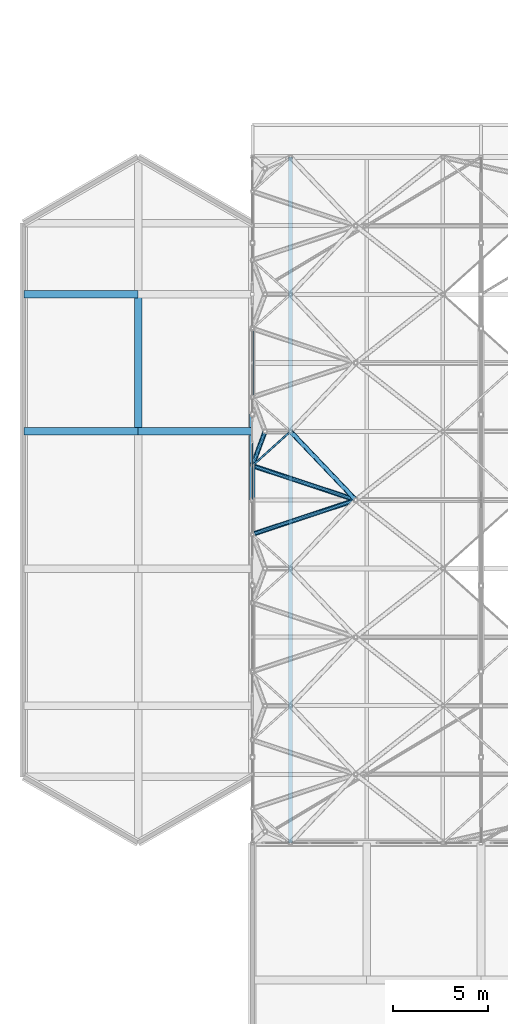
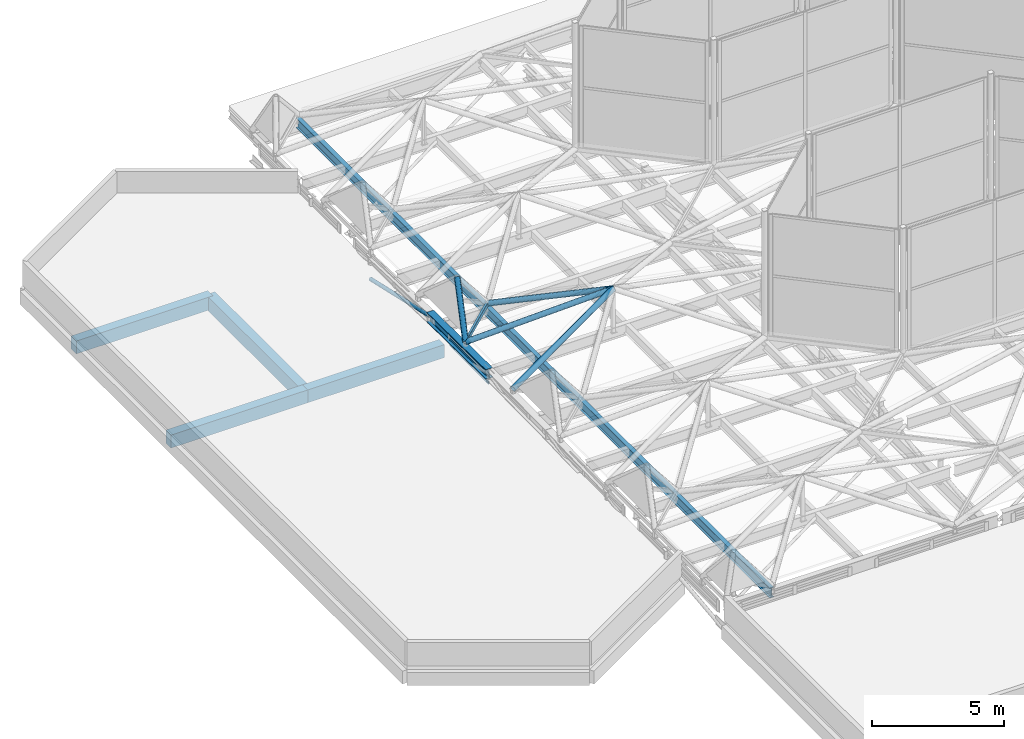
# One storey, part 54 of 239: 8 members, 7 beams, 1 element without a shape of its own.
"""IFC4 building model written with IfcOpenShell, lengths in metres."""

import ifcopenshell
import ifcopenshell.guid

model = None  # the IFC model being written
_history = None  # IfcOwnerHistory: only IFC2X3 demands one
_inside = {}  # id of a spatial element -> (the spatial element, [elements in it])
_under = {}  # id of a project, library or spatial element -> (it, [spatial elements below it])
_declared = {}  # id of a project -> (the project, [libraries it declares])
_typed = {}  # id of a type object -> (the type object, [elements of that type])
_made_of = {}  # id of a material, layer set ... -> (it, [elements and type objects made of it])


def new_model(schema):
    """Start an empty IFC model of exactly this schema.

    Asked for "IFC4X3", IfcOpenShell would pick the latest addendum, in which some entities
    have other attributes; the version numbers below select the first issue.
    IFC2X3 requires an IfcOwnerHistory on every rooted entity: one is made here for all.
    """
    global model, _history
    if schema == "IFC4X3":
        model = ifcopenshell.file(schema_version=(4, 3, 0, 0))
    else:
        model = ifcopenshell.file(schema=schema)
    _inside.clear()
    _under.clear()
    _declared.clear()
    _typed.clear()
    _made_of.clear()
    _history = None
    if model.schema == "IFC2X3":
        org = make("IfcOrganization", Name="unknown")
        user = make(
            "IfcPersonAndOrganization",
            ThePerson=make("IfcPerson", FamilyName="unknown"),
            TheOrganization=org,
        )
        app = make(
            "IfcApplication",
            ApplicationDeveloper=org,
            Version="unknown",
            ApplicationFullName="unknown",
            ApplicationIdentifier="unknown",
        )
        _history = make(
            "IfcOwnerHistory",
            OwningUser=user,
            OwningApplication=app,
            ChangeAction="ADDED",
            CreationDate=0,
        )
    return model


def make(cls, **values):
    """One entity of the class cls with the attributes given. An attribute that is None is left unset."""
    return model.create_entity(
        cls, **{name: value for name, value in values.items() if value is not None}
    )


def rooted(cls, **values):
    """An entity with a GlobalId (a new one), such as an element, a storey or a relation."""
    return make(cls, GlobalId=ifcopenshell.guid.new(), OwnerHistory=_history, **values)


def si_unit(unit_type, name, prefix=None):
    """IfcSIUnit, for example si_unit("LENGTHUNIT", "METRE", prefix="MILLI")."""
    return make("IfcSIUnit", UnitType=unit_type, Prefix=prefix, Name=name)


def assignment(units):
    """IfcUnitAssignment: the units of a project."""
    return None if units is None else make("IfcUnitAssignment", Units=units)


def point(xyz):
    """IfcCartesianPoint."""
    return None if xyz is None else make("IfcCartesianPoint", Coordinates=xyz)


def direction(xyz):
    """IfcDirection."""
    return None if xyz is None else make("IfcDirection", DirectionRatios=xyz)


def frame(location, z_axis=None, x_axis=None):
    """IfcAxis2Placement3D, a coordinate frame: its origin and axes. An axis left out is left unset."""
    return make(
        "IfcAxis2Placement3D",
        Location=point(location),
        Axis=direction(z_axis),
        RefDirection=direction(x_axis),
    )


def frame_2d(location, x_axis=None):
    """IfcAxis2Placement2D, a coordinate frame in the plane: its origin and x axis."""
    return make(
        "IfcAxis2Placement2D", Location=point(location), RefDirection=direction(x_axis)
    )


def origin():
    """The frame at (0, 0, 0) with its axes left unset."""
    return frame((0.0, 0.0, 0.0))


def origin_2d():
    """The frame at (0, 0) in the plane with its x axis left unset."""
    return frame_2d((0.0, 0.0))


def place(relative_to, where):
    """IfcLocalPlacement: puts the frame where relative to a parent placement (None: the world)."""
    return make(
        "IfcLocalPlacement", PlacementRelTo=relative_to, RelativePlacement=where
    )


def context(
    kind, dimensions, precision=None, world=None, true_north=None, identifier=None
):
    """IfcGeometricRepresentationContext, for example the 3D "Model" context."""
    return make(
        "IfcGeometricRepresentationContext",
        ContextIdentifier=identifier,
        ContextType=kind,
        CoordinateSpaceDimension=dimensions,
        Precision=precision,
        WorldCoordinateSystem=world,
        TrueNorth=true_north,
    )


def subcontext(parent, identifier, kind, view, scale=None):
    """IfcGeometricRepresentationSubContext, for example "Body" below "Model"."""
    return make(
        "IfcGeometricRepresentationSubContext",
        ContextIdentifier=identifier,
        ContextType=kind,
        ParentContext=parent,
        TargetScale=scale,
        TargetView=view,
    )


def project(units=None, contexts=None):
    """IfcProject with its units and contexts."""
    return rooted(
        "IfcProject",
        Name="project",
        RepresentationContexts=contexts,
        UnitsInContext=assignment(units),
    )


def spatial(cls, under=None, at=None, **own):
    """A site, building, storey or space (cls), placed at a placement, below another one or the project."""
    s = rooted(cls, ObjectPlacement=at, **own)
    if under is not None:
        _under.setdefault(under.id(), (under, []))[1].append(s)
    return s


def profile(cls, at=None, kind="AREA", **sizes):
    """A parametric profile (cls). Its sizes go by their IFC names, for example OverallWidth=200.0."""
    return make(cls, ProfileType=kind, Position=at, **sizes)


def rectangle(**sizes):
    """IfcRectangleProfileDef."""
    return profile("IfcRectangleProfileDef", **sizes)


def hollow_rectangle(**sizes):
    """IfcRectangleHollowProfileDef."""
    return profile("IfcRectangleHollowProfileDef", **sizes)


def hollow_circle(**sizes):
    """IfcCircleHollowProfileDef."""
    return profile("IfcCircleHollowProfileDef", **sizes)


def i_section(**sizes):
    """IfcIShapeProfileDef."""
    return profile("IfcIShapeProfileDef", **sizes)


def extrude(swept, where, along, depth):
    """IfcExtrudedAreaSolid: the profile swept, set in the frame where, extruded along a direction by depth."""
    return make(
        "IfcExtrudedAreaSolid",
        SweptArea=swept,
        Position=where,
        ExtrudedDirection=direction(along),
        Depth=depth,
    )


def shape(context_of_items, identifier, shape_type, items):
    """IfcShapeRepresentation: the items that make up one representation, for example the "Body"."""
    return make(
        "IfcShapeRepresentation",
        ContextOfItems=context_of_items,
        RepresentationIdentifier=identifier,
        RepresentationType=shape_type,
        Items=items,
    )


def material(Name=None, Category=None):
    """IfcMaterial."""
    return make("IfcMaterial", Name=Name, Category=Category)


def layer(
    of_material, thickness, ventilated=None, Name=None, Category=None, Priority=None
):
    """IfcMaterialLayer: one layer of a wall or slab, of a material (None: an air gap)."""
    return make(
        "IfcMaterialLayer",
        Material=of_material,
        LayerThickness=thickness,
        IsVentilated=ventilated,
        Name=Name,
        Category=Category,
        Priority=Priority,
    )


def layer_set(layers, Name=None):
    """IfcMaterialLayerSet."""
    return make("IfcMaterialLayerSet", MaterialLayers=layers, LayerSetName=Name)


def material_profile(
    of_material, cross_section, Name=None, Category=None, Priority=None
):
    """IfcMaterialProfile: a cross section and its material."""
    return make(
        "IfcMaterialProfile",
        Name=Name,
        Material=of_material,
        Profile=cross_section,
        Priority=Priority,
        Category=Category,
    )


def profile_set(profiles, Name=None, composite=None):
    """IfcMaterialProfileSet."""
    return make(
        "IfcMaterialProfileSet",
        Name=Name,
        MaterialProfiles=profiles,
        CompositeProfile=composite,
    )


def made_of(thing, what):
    """Note that an element or type object is made of a material, layer set ...; save() writes the relation."""
    if what is not None:
        _made_of.setdefault(what.id(), (what, []))[1].append(thing)
    return thing


def type_object(cls, material=None, **own):
    """A type object (cls), such as IfcWallType, which elements share."""
    return made_of(rooted(cls, **own), material)


def element(
    cls,
    number,
    at=None,
    inside=None,
    cuts=None,
    type_object=None,
    material=None,
    context=None,
    identifier="Body",
    shape_type=None,
    held_by="IfcProductDefinitionShape",
    body=None,
    shapes=None,
    **own,
):
    """One element of the class cls, such as IfcWall. Its Tag is "e" and its number.

    at: its placement. inside: the storey or other place that contains it. cuts: it is an
    opening in that element (IfcRelVoidsElement). A single representation is given by context,
    identifier, shape_type and body (its items); several are given by shapes. held_by: the class
    of the entity that holds the representations. save() writes the other relations.
    """
    e = rooted(cls, Tag="e%d" % number, ObjectPlacement=at, **own)
    if body is not None:
        shapes = [shape(context, identifier, shape_type, body)]
    if shapes is not None:
        e.Representation = make(held_by, Representations=shapes)
    if inside is not None:
        _inside.setdefault(inside.id(), (inside, []))[1].append(e)
    if cuts is not None:
        rooted(
            "IfcRelVoidsElement", RelatingBuildingElement=cuts, RelatedOpeningElement=e
        )
    if type_object is not None:
        _typed.setdefault(type_object.id(), (type_object, []))[1].append(e)
    return made_of(e, material)


def aggregate(whole, parts):
    """IfcRelAggregates: a whole, such as a stair, and the parts it consists of."""
    return rooted("IfcRelAggregates", RelatingObject=whole, RelatedObjects=parts)


def save(model, path):
    """Write the relations noted so far, then the file.

    IfcRelAggregates (storeys below a building ...), IfcRelContainedInSpatialStructure (elements
    in a storey), IfcRelDefinesByType, IfcRelAssociatesMaterial and IfcRelDeclares: one each for
    every whole, place, type object, material and project.
    """
    for whole, parts in _under.values():
        aggregate(whole, parts)
    for where, things in _inside.values():
        rooted(
            "IfcRelContainedInSpatialStructure",
            RelatedElements=things,
            RelatingStructure=where,
        )
    for kind, things in _typed.values():
        rooted("IfcRelDefinesByType", RelatedObjects=things, RelatingType=kind)
    for what, things in _made_of.values():
        rooted("IfcRelAssociatesMaterial", RelatedObjects=things, RelatingMaterial=what)
    for by, libraries in _declared.values():
        rooted("IfcRelDeclares", RelatingContext=by, RelatedDefinitions=libraries)
    model.write(path)


model = new_model("IFC4")

# Units and contexts
model_context = context("Model", 3, precision=1e-05, world=origin(), true_north=direction((0.0, 1.0)))
body_context = subcontext(model_context, "Body", "Model", "MODEL_VIEW")
ifc_project = project(units=[si_unit("LENGTHUNIT", "METRE"), si_unit("AREAUNIT", "SQUARE_METRE"), si_unit("VOLUMEUNIT", "CUBIC_METRE"), si_unit("PLANEANGLEUNIT", "RADIAN"), si_unit("MASSUNIT", "GRAM", prefix="KILO")], contexts=[model_context])

# Site, building, storey
site_placement = place(None, origin())
site = spatial("IfcSite", under=ifc_project, at=site_placement, CompositionType="ELEMENT")
building_placement = place(site_placement, origin())
building = spatial("IfcBuilding", under=site, at=building_placement, Name="Dunvalen Ferry Terminal", CompositionType="ELEMENT")
storey_placement = place(building_placement, frame((0.0, 0.0, 9.840087890625)))
storey = spatial("IfcBuildingStorey", under=building, at=storey_placement, Name="L02", CompositionType="ELEMENT", Elevation=9.840087890625)

# Curtain wall, members
ifc_material_1 = material(Name="Anodised marine aluminium and solar-control glazing", Category="aluminium")
ifc_layer = layer(ifc_material_1, 0.219970703125, Name="Anodised marine aluminium and solar-control glazing")
ifc_layer_set = layer_set([ifc_layer], Name="Anodised marine aluminium and solar-control glazing")
curtain_wall_type = type_object("IfcCurtainWallType", Name="ENV-CW-SYS-04", PredefinedType="NOTDEFINED", material=ifc_layer_set)
curtain_wall_placement = place(storey_placement, origin())
curtain_wall = element("IfcCurtainWall", 1, at=curtain_wall_placement, inside=storey, type_object=curtain_wall_type, Name="L02 Curtain Wall CW-V1W-CLR-03", PredefinedType="NOTDEFINED")
ifc_material_2 = material(Name="Anodised marine aluminium EN AW-6063 T6", Category="aluminium")
ifc_material_profile_1 = material_profile(ifc_material_2, hollow_rectangle(XDim=0.06005859375, YDim=0.135009765625, WallThickness=0.003173828125, InnerFilletRadius=0.003173828125, OuterFilletRadius=0.00634765625, at=origin_2d()), Name="Anodised marine aluminium EN AW-6063 T6")
ifc_profile_set_1 = profile_set([ifc_material_profile_1], Name="Anodised marine aluminium EN AW-6063 T6")
member_type_1 = type_object("IfcMemberType", Name="ENV-CW-TRN-2", PredefinedType="USERDEFINED", material=ifc_profile_set_1)
member_1_placement = place(storey_placement, frame((12.0, 68.429931640625, 0.27001953125), z_axis=(0.0, 1.0, 0.0), x_axis=(-1.0, 0.0, 0.0)))
member_1 = element("IfcMember", 2, at=member_1_placement, type_object=member_type_1, Name="CW-04 transom 2.1", ObjectType="TRANSOM", PredefinedType="USERDEFINED", context=body_context, shape_type="SweptSolid", body=[
    extrude(hollow_rectangle(XDim=0.06005859375, YDim=0.135009765625, WallThickness=0.003173828125, InnerFilletRadius=0.003173828125, OuterFilletRadius=0.00634765625, at=origin_2d()), origin(), (0.0, 0.0, 1.0), 2.949951171875),
])
member_2_placement = place(storey_placement, frame((12.0, 68.429931640625, 0.510009765625), z_axis=(0.0, 1.0, 0.0), x_axis=(-1.0, 0.0, 0.0)))
member_2 = element("IfcMember", 3, at=member_2_placement, type_object=member_type_1, Name="CW-04 transom 2.2", ObjectType="TRANSOM", PredefinedType="USERDEFINED", context=body_context, shape_type="SweptSolid", body=[
    extrude(hollow_rectangle(XDim=0.06005859375, YDim=0.135009765625, WallThickness=0.003173828125, InnerFilletRadius=0.003173828125, OuterFilletRadius=0.00634765625, at=origin_2d()), origin(), (0.0, 0.0, 1.0), 2.949951171875),
])
member_3_placement = place(storey_placement, frame((12.0, 68.429931640625, 0.75), z_axis=(0.0, 1.0, 0.0), x_axis=(-1.0, 0.0, 0.0)))
member_3 = element("IfcMember", 4, at=member_3_placement, type_object=member_type_1, Name="CW-04 transom 2.3", ObjectType="TRANSOM", PredefinedType="USERDEFINED", context=body_context, shape_type="SweptSolid", body=[
    extrude(hollow_rectangle(XDim=0.06005859375, YDim=0.135009765625, WallThickness=0.003173828125, InnerFilletRadius=0.003173828125, OuterFilletRadius=0.00634765625, at=origin_2d()), origin(), (0.0, 0.0, 1.0), 2.949951171875),
])
aggregate(curtain_wall, [member_1, member_2, member_3])

# Beams
ifc_material_3 = material(Name="Steel S355", Category="steel")
ifc_material_profile_2 = material_profile(ifc_material_3, i_section(OverallWidth=0.300048828125, OverallDepth=0.449951171875, WebThickness=0.013916015625, FlangeThickness=0.02587890625, FilletRadius=0.027099609375, at=origin_2d()), Name="Steel S355")
ifc_profile_set_2 = profile_set([ifc_material_profile_2], Name="Steel S355")
beam_type_1 = type_object("IfcBeamType", Name="STR-BM-HEB450", PredefinedType="BEAM", material=ifc_profile_set_2)
beam_1_placement = place(storey_placement, frame((12.0, 68.39990234375, 0.719970703125), z_axis=(0.0, 0.999907293085, -0.01361635908), x_axis=(-1.0, 0.0, 0.0)))
element("IfcBeam", 5, at=beam_1_placement, inside=storey, type_object=beam_type_1, Name="Departure Hall Tied-Arch Rib 01.5", PredefinedType="BEAM", context=body_context, shape_type="SweptSolid", body=[
    extrude(i_section(OverallWidth=0.300048828125, OverallDepth=0.449951171875, WebThickness=0.013916015625, FlangeThickness=0.02587890625, FilletRadius=0.027099609375, at=origin_2d()), origin(), (0.0, 0.0, 1.0), 4.50048828125),
])
ifc_material_4 = material(Name="Concrete C35/45", Category="concrete")
ifc_material_profile_3 = material_profile(ifc_material_4, rectangle(XDim=0.39990234375, YDim=0.60009765625, at=origin_2d()), Name="Concrete C35/45")
ifc_profile_set_3 = profile_set([ifc_material_profile_3], Name="Concrete C35/45")
beam_type_2 = type_object("IfcBeamType", Name="STR-BM-RCB600", PredefinedType="BEAM", material=ifc_profile_set_3)
for number, where, z_axis, x_axis, name in (
    (6, (0.0, 72.0, -0.300048828125), (1.0, 0.0, 0.0), (0.0, 1.0, 0.0), "L02 V1AW Primary Beam X-006"),
    (7, (6.0, 72.0, -0.300048828125), (1.0, 0.0, 0.0), (0.0, 1.0, 0.0), "L02 V1AW Primary Beam X-007"),
    (8, (0.0, 79.199951171875, -0.300048828125), (1.0, 0.0, 0.0), (0.0, 1.0, 0.0), "L02 V1AW Primary Beam X-008"),
):
    element("IfcBeam", number, at=place(storey_placement, frame(where, z_axis=z_axis, x_axis=x_axis)), inside=storey, type_object=beam_type_2, Name=name, PredefinedType="BEAM", context=body_context, shape_type="SweptSolid", body=[
        extrude(rectangle(XDim=0.39990234375, YDim=0.60009765625, at=origin_2d()), origin(), (0.0, 0.0, 1.0), 6.0),
    ])
ifc_material_5 = material(Name="Concrete C40/50", Category="concrete")
ifc_material_profile_4 = material_profile(ifc_material_5, rectangle(XDim=0.39990234375, YDim=0.64990234375, at=origin_2d()), Name="Concrete C40/50")
ifc_profile_set_4 = profile_set([ifc_material_profile_4], Name="Concrete C40/50")
beam_type_3 = type_object("IfcBeamType", Name="STR-BM-RCB650", PredefinedType="BEAM", material=ifc_profile_set_4)
beam_2_placement = place(storey_placement, frame((6.0, 72.0, -0.3251953125), z_axis=(0.0, 1.0, 0.0), x_axis=(-1.0, 0.0, 0.0)))
element("IfcBeam", 9, at=beam_2_placement, inside=storey, type_object=beam_type_3, Name="L02 V1AW Primary Girder Y-019", PredefinedType="BEAM", context=body_context, shape_type="SweptSolid", body=[
    extrude(rectangle(XDim=0.39990234375, YDim=0.64990234375, at=origin_2d()), origin(), (0.0, 0.0, 1.0), 7.199951171875),
])
ifc_material_profile_5 = material_profile(ifc_material_3, hollow_rectangle(XDim=0.10009765625, YDim=0.199951171875, WallThickness=0.008056640625, InnerFilletRadius=0.008056640625, OuterFilletRadius=0.01611328125, at=origin_2d()), Name="Steel S355")
ifc_profile_set_5 = profile_set([ifc_material_profile_5], Name="Steel S355")
beam_type_4 = type_object("IfcBeamType", Name="STR-BM-RHS200", PredefinedType="BEAM", material=ifc_profile_set_5)
beam_3_placement = place(storey_placement, frame((12.0, 70.199951171875, 1.099853515625), z_axis=(0.743285123004, 0.668974757313, 0.0), x_axis=(-0.668974757313, 0.743285123004, 0.0)))
element("IfcBeam", 10, at=beam_3_placement, inside=storey, type_object=beam_type_4, Name="HEX-04 Hexagonal Rim Beam 1", PredefinedType="BEAM", context=body_context, shape_type="SweptSolid", body=[
    extrude(hollow_rectangle(XDim=0.10009765625, YDim=0.199951171875, WallThickness=0.008056640625, InnerFilletRadius=0.008056640625, OuterFilletRadius=0.01611328125, at=origin_2d()), origin(), (0.0, 0.0, 1.0), 2.690673828125),
])
ifc_material_profile_6 = material_profile(ifc_material_3, i_section(OverallWidth=0.1904296875, OverallDepth=0.45703125, WebThickness=0.009033203125, FlangeThickness=0.014404296875, FilletRadius=0.01025390625, at=origin_2d()), Name="Steel S355")
ifc_profile_set_6 = profile_set([ifc_material_profile_6], Name="Steel S355")
beam_type_5 = type_object("IfcBeamType", Name="STR-BM-UKB457", PredefinedType="BEAM", material=ifc_profile_set_6)
beam_4_placement = place(storey_placement, frame((14.0, 50.39990234375, 0.771484375), z_axis=(0.0, 1.0, 0.0), x_axis=(-1.0, 0.0, 0.0)))
element("IfcBeam", 11, at=beam_4_placement, inside=storey, type_object=beam_type_5, Name="Departure Hall Hex-Grid Cross Beam B1.1", PredefinedType="BEAM", context=body_context, shape_type="SweptSolid", body=[
    extrude(i_section(OverallWidth=0.1904296875, OverallDepth=0.45703125, WebThickness=0.009033203125, FlangeThickness=0.014404296875, FilletRadius=0.01025390625, at=origin_2d()), origin(), (0.0, 0.0, 1.0), 36.0),
])

# Members
ifc_material_profile_7 = material_profile(ifc_material_3, hollow_circle(Radius=0.084228515625, WallThickness=0.008056640625, at=origin_2d()), Name="Steel S355")
ifc_profile_set_7 = profile_set([ifc_material_profile_7], Name="Steel S355")
member_type_2 = type_object("IfcMemberType", Name="STR-MB-CHS168", PredefinedType="BRACE", material=ifc_profile_set_7)
member_4_placement = place(storey_placement, frame((12.0, 72.89990234375, 0.65869140625), z_axis=(0.0, 0.975316524259, -0.220811407104), x_axis=(-1.0, 0.0, 0.0)))
element("IfcMember", 12, at=member_4_placement, inside=storey, type_object=member_type_2, Name="Departure Hall Arch Web Diagonal 01.6", PredefinedType="BRACE", context=body_context, shape_type="SweptSolid", body=[
    extrude(hollow_circle(Radius=0.084228515625, WallThickness=0.008056640625, at=origin_2d()), origin(), (0.0, 0.0, 1.0), 4.61376953125),
])
ifc_material_profile_8 = material_profile(ifc_material_3, hollow_circle(Radius=0.122314453125, WallThickness=0.010009765625, at=origin_2d()), Name="Steel S355")
ifc_profile_set_8 = profile_set([ifc_material_profile_8], Name="Steel S355")
member_type_3 = type_object("IfcMemberType", Name="STR-MB-CHS244", PredefinedType="STRUT", material=ifc_profile_set_8)
member_5_placement = place(storey_placement, frame((12.0, 70.199951171875, 1.099853515625), z_axis=(0.262387740737, 0.708379645717, 0.65524877035), x_axis=(-0.937738020856, 0.34734335209, 0.0)))
element("IfcMember", 13, at=member_5_placement, inside=storey, type_object=member_type_3, Name="HEX-04 Pyramid Hip Rafter 1", PredefinedType="STRUT", context=body_context, shape_type="SweptSolid", body=[
    extrude(hollow_circle(Radius=0.122314453125, WallThickness=0.010009765625, at=origin_2d()), origin(), (0.0, 0.0, 1.0), 2.541015625),
])
for number, where, z_axis, x_axis, name in (
    (14, (12.0, 70.199951171875, 1.099853515625), (0.911347276527, -0.302184002061, 0.279519177276), (0.314729068317, 0.949181549313, 0.0), "HEX-09 Pyramid Hip Rafter 1"),
    (15, (12.0, 66.60009765625, 1.099853515625), (0.911358563077, 0.302146758725, 0.279522638972), (-0.314690609143, 0.949194300719, 0.0), "HEX-09 Pyramid Hip Rafter 2"),
):
    element("IfcMember", number, at=place(storey_placement, frame(where, z_axis=z_axis, x_axis=x_axis)), inside=storey, type_object=member_type_3, Name=name, PredefinedType="STRUT", context=body_context, shape_type="SweptSolid", body=[
        extrude(hollow_circle(Radius=0.122314453125, WallThickness=0.010009765625, at=origin_2d()), origin(), (0.0, 0.0, 1.0), 5.956787109375),
    ])
member_6_placement = place(storey_placement, frame((14.0, 72.0, 1.099853515625), z_axis=(0.653958936196, -0.686647570005, 0.317573337002), x_axis=(0.724133259713, 0.689660077269, 0.0)))
element("IfcMember", 16, at=member_6_placement, inside=storey, type_object=member_type_3, Name="HEX-09 Pyramid Hip Rafter 7", PredefinedType="STRUT", context=body_context, shape_type="SweptSolid", body=[
    extrude(hollow_circle(Radius=0.122314453125, WallThickness=0.010009765625, at=origin_2d()), origin(), (0.0, 0.0, 1.0), 5.242919921875),
])

save(model, "model.ifc")
